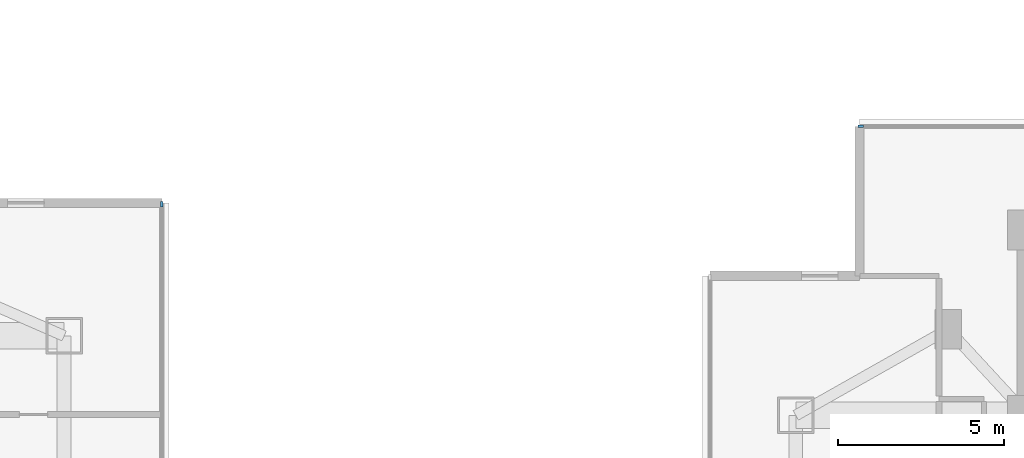
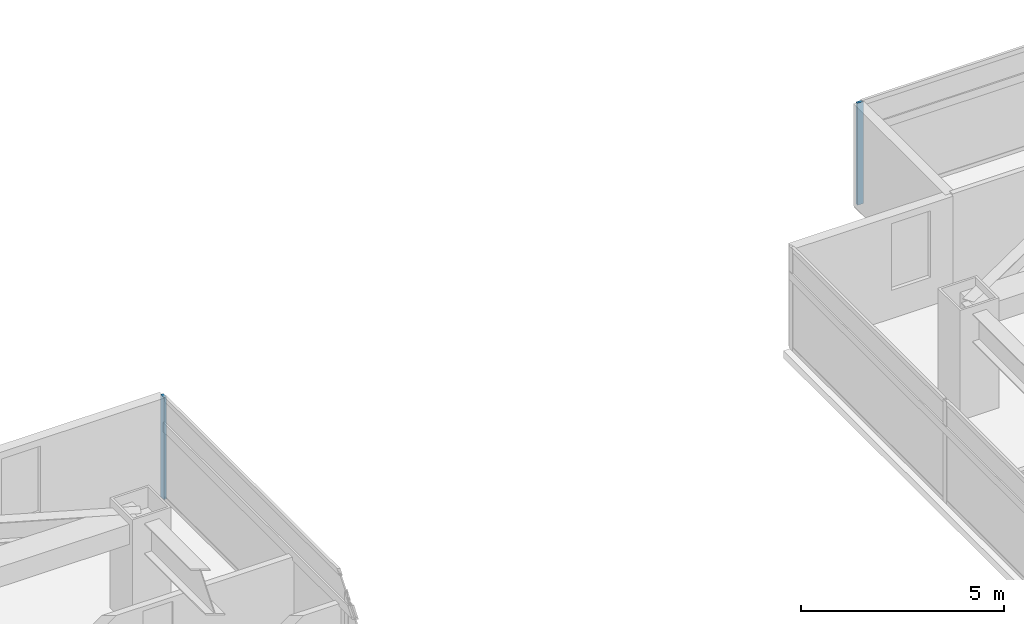
# One storey, part 7 of 24: 2 members, 2 elements without a shape of their own.
"""IFC4 building model written with IfcOpenShell, lengths in metres."""

import ifcopenshell
import ifcopenshell.guid

model = None  # the IFC model being written
_history = None  # IfcOwnerHistory: only IFC2X3 demands one
_inside = {}  # id of a spatial element -> (the spatial element, [elements in it])
_under = {}  # id of a project, library or spatial element -> (it, [spatial elements below it])
_declared = {}  # id of a project -> (the project, [libraries it declares])
_typed = {}  # id of a type object -> (the type object, [elements of that type])
_made_of = {}  # id of a material, layer set ... -> (it, [elements and type objects made of it])


def new_model(schema):
    """Start an empty IFC model of exactly this schema.

    Asked for "IFC4X3", IfcOpenShell would pick the latest addendum, in which some entities
    have other attributes; the version numbers below select the first issue.
    IFC2X3 requires an IfcOwnerHistory on every rooted entity: one is made here for all.
    """
    global model, _history
    if schema == "IFC4X3":
        model = ifcopenshell.file(schema_version=(4, 3, 0, 0))
    else:
        model = ifcopenshell.file(schema=schema)
    _inside.clear()
    _under.clear()
    _declared.clear()
    _typed.clear()
    _made_of.clear()
    _history = None
    if model.schema == "IFC2X3":
        org = make("IfcOrganization", Name="unknown")
        user = make(
            "IfcPersonAndOrganization",
            ThePerson=make("IfcPerson", FamilyName="unknown"),
            TheOrganization=org,
        )
        app = make(
            "IfcApplication",
            ApplicationDeveloper=org,
            Version="unknown",
            ApplicationFullName="unknown",
            ApplicationIdentifier="unknown",
        )
        _history = make(
            "IfcOwnerHistory",
            OwningUser=user,
            OwningApplication=app,
            ChangeAction="ADDED",
            CreationDate=0,
        )
    return model


def make(cls, **values):
    """One entity of the class cls with the attributes given. An attribute that is None is left unset."""
    return model.create_entity(
        cls, **{name: value for name, value in values.items() if value is not None}
    )


def rooted(cls, **values):
    """An entity with a GlobalId (a new one), such as an element, a storey or a relation."""
    return make(cls, GlobalId=ifcopenshell.guid.new(), OwnerHistory=_history, **values)


def si_unit(unit_type, name, prefix=None):
    """IfcSIUnit, for example si_unit("LENGTHUNIT", "METRE", prefix="MILLI")."""
    return make("IfcSIUnit", UnitType=unit_type, Prefix=prefix, Name=name)


def assignment(units):
    """IfcUnitAssignment: the units of a project."""
    return None if units is None else make("IfcUnitAssignment", Units=units)


def point(xyz):
    """IfcCartesianPoint."""
    return None if xyz is None else make("IfcCartesianPoint", Coordinates=xyz)


def direction(xyz):
    """IfcDirection."""
    return None if xyz is None else make("IfcDirection", DirectionRatios=xyz)


def frame(location, z_axis=None, x_axis=None):
    """IfcAxis2Placement3D, a coordinate frame: its origin and axes. An axis left out is left unset."""
    return make(
        "IfcAxis2Placement3D",
        Location=point(location),
        Axis=direction(z_axis),
        RefDirection=direction(x_axis),
    )


def frame_2d(location, x_axis=None):
    """IfcAxis2Placement2D, a coordinate frame in the plane: its origin and x axis."""
    return make(
        "IfcAxis2Placement2D", Location=point(location), RefDirection=direction(x_axis)
    )


def origin():
    """The frame at (0, 0, 0) with its axes left unset."""
    return frame((0.0, 0.0, 0.0))


def origin_2d():
    """The frame at (0, 0) in the plane with its x axis left unset."""
    return frame_2d((0.0, 0.0))


def place(relative_to, where):
    """IfcLocalPlacement: puts the frame where relative to a parent placement (None: the world)."""
    return make(
        "IfcLocalPlacement", PlacementRelTo=relative_to, RelativePlacement=where
    )


def context(
    kind, dimensions, precision=None, world=None, true_north=None, identifier=None
):
    """IfcGeometricRepresentationContext, for example the 3D "Model" context."""
    return make(
        "IfcGeometricRepresentationContext",
        ContextIdentifier=identifier,
        ContextType=kind,
        CoordinateSpaceDimension=dimensions,
        Precision=precision,
        WorldCoordinateSystem=world,
        TrueNorth=true_north,
    )


def subcontext(parent, identifier, kind, view, scale=None):
    """IfcGeometricRepresentationSubContext, for example "Body" below "Model"."""
    return make(
        "IfcGeometricRepresentationSubContext",
        ContextIdentifier=identifier,
        ContextType=kind,
        ParentContext=parent,
        TargetScale=scale,
        TargetView=view,
    )


def project(units=None, contexts=None):
    """IfcProject with its units and contexts."""
    return rooted(
        "IfcProject",
        Name="project",
        RepresentationContexts=contexts,
        UnitsInContext=assignment(units),
    )


def spatial(cls, under=None, at=None, **own):
    """A site, building, storey or space (cls), placed at a placement, below another one or the project."""
    s = rooted(cls, ObjectPlacement=at, **own)
    if under is not None:
        _under.setdefault(under.id(), (under, []))[1].append(s)
    return s


def profile(cls, at=None, kind="AREA", **sizes):
    """A parametric profile (cls). Its sizes go by their IFC names, for example OverallWidth=200.0."""
    return make(cls, ProfileType=kind, Position=at, **sizes)


def rectangle(**sizes):
    """IfcRectangleProfileDef."""
    return profile("IfcRectangleProfileDef", **sizes)


def extrude(swept, where, along, depth):
    """IfcExtrudedAreaSolid: the profile swept, set in the frame where, extruded along a direction by depth."""
    return make(
        "IfcExtrudedAreaSolid",
        SweptArea=swept,
        Position=where,
        ExtrudedDirection=direction(along),
        Depth=depth,
    )


def shape(context_of_items, identifier, shape_type, items):
    """IfcShapeRepresentation: the items that make up one representation, for example the "Body"."""
    return make(
        "IfcShapeRepresentation",
        ContextOfItems=context_of_items,
        RepresentationIdentifier=identifier,
        RepresentationType=shape_type,
        Items=items,
    )


def material(Name=None, Category=None):
    """IfcMaterial."""
    return make("IfcMaterial", Name=Name, Category=Category)


def material_profile(
    of_material, cross_section, Name=None, Category=None, Priority=None
):
    """IfcMaterialProfile: a cross section and its material."""
    return make(
        "IfcMaterialProfile",
        Name=Name,
        Material=of_material,
        Profile=cross_section,
        Priority=Priority,
        Category=Category,
    )


def profile_set(profiles, Name=None, composite=None):
    """IfcMaterialProfileSet."""
    return make(
        "IfcMaterialProfileSet",
        Name=Name,
        MaterialProfiles=profiles,
        CompositeProfile=composite,
    )


def made_of(thing, what):
    """Note that an element or type object is made of a material, layer set ...; save() writes the relation."""
    if what is not None:
        _made_of.setdefault(what.id(), (what, []))[1].append(thing)
    return thing


def type_object(cls, material=None, **own):
    """A type object (cls), such as IfcWallType, which elements share."""
    return made_of(rooted(cls, **own), material)


def element(
    cls,
    number,
    at=None,
    inside=None,
    cuts=None,
    type_object=None,
    material=None,
    context=None,
    identifier="Body",
    shape_type=None,
    held_by="IfcProductDefinitionShape",
    body=None,
    shapes=None,
    **own,
):
    """One element of the class cls, such as IfcWall. Its Tag is "e" and its number.

    at: its placement. inside: the storey or other place that contains it. cuts: it is an
    opening in that element (IfcRelVoidsElement). A single representation is given by context,
    identifier, shape_type and body (its items); several are given by shapes. held_by: the class
    of the entity that holds the representations. save() writes the other relations.
    """
    e = rooted(cls, Tag="e%d" % number, ObjectPlacement=at, **own)
    if body is not None:
        shapes = [shape(context, identifier, shape_type, body)]
    if shapes is not None:
        e.Representation = make(held_by, Representations=shapes)
    if inside is not None:
        _inside.setdefault(inside.id(), (inside, []))[1].append(e)
    if cuts is not None:
        rooted(
            "IfcRelVoidsElement", RelatingBuildingElement=cuts, RelatedOpeningElement=e
        )
    if type_object is not None:
        _typed.setdefault(type_object.id(), (type_object, []))[1].append(e)
    return made_of(e, material)


def aggregate(whole, parts):
    """IfcRelAggregates: a whole, such as a stair, and the parts it consists of."""
    return rooted("IfcRelAggregates", RelatingObject=whole, RelatedObjects=parts)


def save(model, path):
    """Write the relations noted so far, then the file.

    IfcRelAggregates (storeys below a building ...), IfcRelContainedInSpatialStructure (elements
    in a storey), IfcRelDefinesByType, IfcRelAssociatesMaterial and IfcRelDeclares: one each for
    every whole, place, type object, material and project.
    """
    for whole, parts in _under.values():
        aggregate(whole, parts)
    for where, things in _inside.values():
        rooted(
            "IfcRelContainedInSpatialStructure",
            RelatedElements=things,
            RelatingStructure=where,
        )
    for kind, things in _typed.values():
        rooted("IfcRelDefinesByType", RelatedObjects=things, RelatingType=kind)
    for what, things in _made_of.values():
        rooted("IfcRelAssociatesMaterial", RelatedObjects=things, RelatingMaterial=what)
    for by, libraries in _declared.values():
        rooted("IfcRelDeclares", RelatingContext=by, RelatedDefinitions=libraries)
    model.write(path)


model = new_model("IFC4")

# Units and contexts
model_context = context("Model", 3, precision=1e-05, world=origin(), true_north=direction((0.0, 1.0)))
body_context = subcontext(model_context, "Body", "Model", "MODEL_VIEW")
ifc_project = project(units=[si_unit("LENGTHUNIT", "METRE"), si_unit("AREAUNIT", "SQUARE_METRE"), si_unit("VOLUMEUNIT", "CUBIC_METRE"), si_unit("PLANEANGLEUNIT", "RADIAN"), si_unit("MASSUNIT", "GRAM", prefix="KILO")], contexts=[model_context])

# Site, building, storey
site_placement = place(None, origin())
site = spatial("IfcSite", under=ifc_project, at=site_placement, CompositionType="ELEMENT")
building_placement = place(site_placement, origin())
building = spatial("IfcBuilding", under=site, at=building_placement, Name="Mirazonda Arch Towers", CompositionType="ELEMENT")
storey_placement = place(building_placement, frame((0.0, 0.0, 101.60009765625)))
storey = spatial("IfcBuildingStorey", under=building, at=storey_placement, Name="L28", CompositionType="ELEMENT", Elevation=101.60009765625)

# Curtain wall, member
ifc_material_1 = material(Name="Anodised Aluminium and Low-E Glass", Category="aluminium")
curtain_wall_type = type_object("IfcCurtainWallType", Name="CW-HTL-UNIT", PredefinedType="NOTDEFINED", material=ifc_material_1)
curtain_wall_1_placement = place(storey_placement, origin())
curtain_wall_1 = element("IfcCurtainWall", 1, at=curtain_wall_1_placement, inside=storey, type_object=curtain_wall_type, Name="L28 T1 E Facade CW-L28-T1-E", PredefinedType="NOTDEFINED")
ifc_material_2 = material(Name="Anodised Aluminium Alloy", Category="aluminium")
ifc_material_profile = material_profile(ifc_material_2, rectangle(XDim=0.074951171875, YDim=0.1650390625, at=origin_2d()), Name="ALU-MULL-75x165")
ifc_profile_set = profile_set([ifc_material_profile], Name="Anodised Aluminium Alloy")
member_type = type_object("IfcMemberType", Name="MULL-CW-HTL-UNIT", PredefinedType="MULLION", material=ifc_profile_set)
member_1_placement = place(storey_placement, frame((41.85009765625, 41.57958984375, 0.0), z_axis=(0.0, 0.0, 1.0), x_axis=(-1.0, 0.0, 0.0)))
member_1 = element("IfcMember", 2, at=member_1_placement, type_object=member_type, Name="CW-112 mullion 4", PredefinedType="MULLION", context=body_context, shape_type="SweptSolid", body=[
    extrude(rectangle(XDim=0.074951171875, YDim=0.1650390625, at=origin_2d()), origin(), (0.0, 0.0, 1.0), 3.059814453125),
])
aggregate(curtain_wall_1, [member_1])

curtain_wall_2_placement = place(storey_placement, origin())
curtain_wall_2 = element("IfcCurtainWall", 3, at=curtain_wall_2_placement, inside=storey, type_object=curtain_wall_type, Name="L28 T2 N Facade CW-L28-T2-N", PredefinedType="NOTDEFINED")
member_2_placement = place(storey_placement, frame((62.959228515625, 43.9306640625, 0.0), z_axis=(0.0, 0.0, 1.0), x_axis=(0.0, 1.0, 0.0)))
member_2 = element("IfcMember", 4, at=member_2_placement, type_object=member_type, Name="CW-112 mullion 1", PredefinedType="MULLION", context=body_context, shape_type="SweptSolid", body=[
    extrude(rectangle(XDim=0.074951171875, YDim=0.1650390625, at=origin_2d()), origin(), (0.0, 0.0, 1.0), 3.059814453125),
])
aggregate(curtain_wall_2, [member_2])

save(model, "model.ifc")
